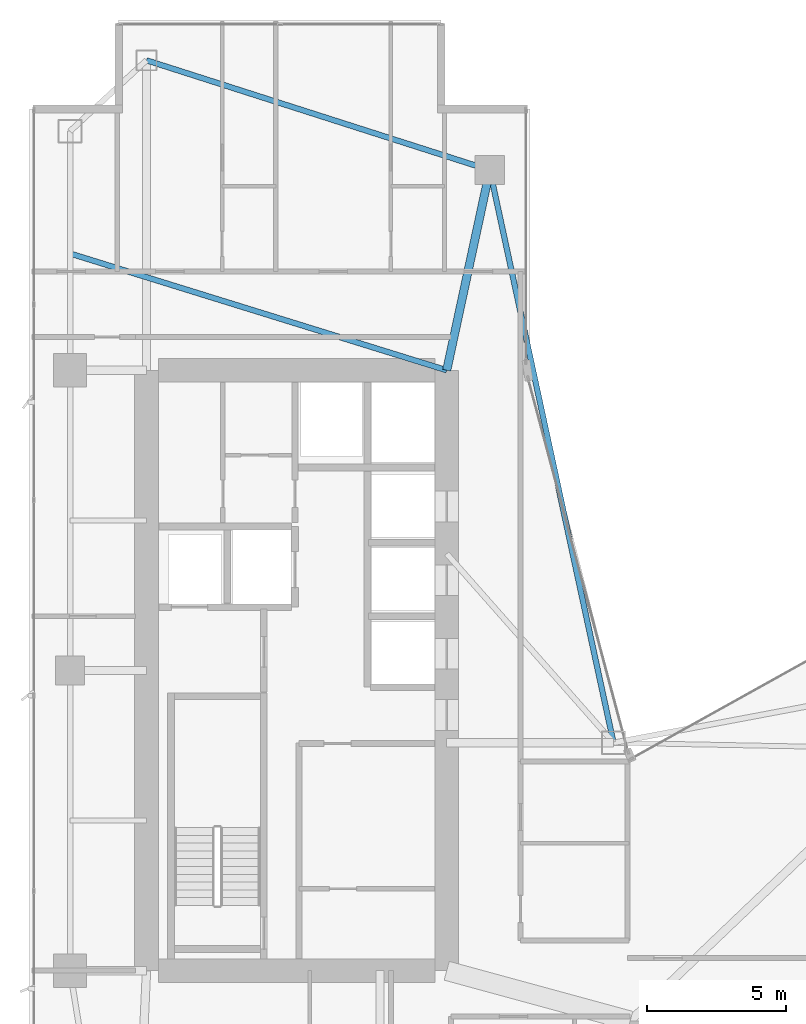
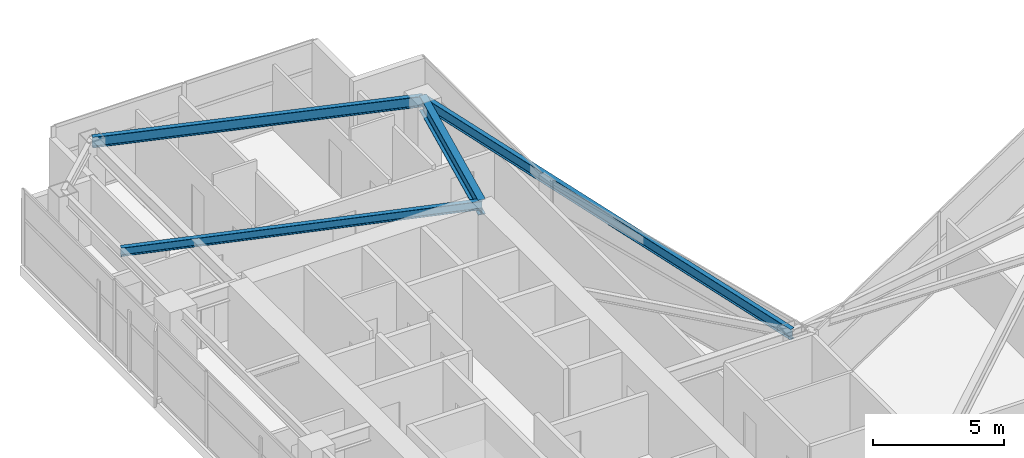
# One storey, part 17 of 28: 4 beams.
"""IFC4 building model written with IfcOpenShell, lengths in metres."""

from ifc_helpers import new_model, si_unit, direction, frame, origin, origin_2d, place, context, subcontext, project, spatial, i_section, extrude, material, material_profile, profile_set, type_object, element, save


model = new_model("IFC4")

# Units and contexts
model_context = context("Model", 3, precision=1e-05, world=origin(), true_north=direction((0.0, 1.0)))
body_context = subcontext(model_context, "Body", "Model", "MODEL_VIEW")
ifc_project = project(units=[si_unit("LENGTHUNIT", "METRE"), si_unit("AREAUNIT", "SQUARE_METRE"), si_unit("VOLUMEUNIT", "CUBIC_METRE"), si_unit("PLANEANGLEUNIT", "RADIAN"), si_unit("MASSUNIT", "GRAM", prefix="KILO")], contexts=[model_context])

# Site, building, storey
site_placement = place(None, origin())
site = spatial("IfcSite", under=ifc_project, at=site_placement, CompositionType="ELEMENT")
building_placement = place(site_placement, origin())
building = spatial("IfcBuilding", under=site, at=building_placement, Name="Calvorn Quay Hotel", CompositionType="ELEMENT")
storey_placement = place(building_placement, frame((0.0, 0.0, 97.39990234375)))
storey = spatial("IfcBuildingStorey", under=building, at=storey_placement, Name="L23", CompositionType="ELEMENT", Elevation=97.39990234375)

# Beams
ifc_material_1 = material(Name="Steel Q390GJC", Category="steel")
ifc_material_profile_1 = material_profile(ifc_material_1, i_section(OverallWidth=0.300048828125, OverallDepth=0.699951171875, WebThickness=0.012939453125, FlangeThickness=0.02392578125, FilletRadius=0.02392578125, at=origin_2d()), Name="HN700x300x13x24")
ifc_profile_set_1 = profile_set([ifc_material_profile_1], Name="Steel Q390GJC")
beam_type_1 = type_object("IfcBeamType", Name="BM-GIRD-MAIN", PredefinedType="BEAM", material=ifc_profile_set_1)
beam_1_placement = place(storey_placement, frame((16.550048828125, 45.60009765625, 3.190185546875), z_axis=(-0.210457140491, -0.97760308511, 0.0), x_axis=(0.97760308511, -0.210457140491, 0.0)))
element("IfcBeam", 1, at=beam_1_placement, inside=storey, type_object=beam_type_1, Name="Beam BG-L23-W6", PredefinedType="BEAM", context=body_context, shape_type="SweptSolid", body=[
    extrude(i_section(OverallWidth=0.300048828125, OverallDepth=0.699951171875, WebThickness=0.012939453125, FlangeThickness=0.02392578125, FilletRadius=0.02392578125, at=origin_2d()), origin(), (0.0, 0.0, 1.0), 7.365234375),
])
ifc_material_2 = material(Name="Steel Q355B", Category="steel")
ifc_material_profile_2 = material_profile(ifc_material_2, i_section(OverallWidth=0.199951171875, OverallDepth=0.39990234375, WebThickness=0.008056640625, FlangeThickness=0.012939453125, FilletRadius=0.01611328125, at=origin_2d()), Name="HN400x200x8x13")
ifc_profile_set_2 = profile_set([ifc_material_profile_2], Name="Steel Q355B")
beam_type_2 = type_object("IfcBeamType", Name="BM-JOIST-TYP", PredefinedType="JOIST", material=ifc_profile_set_2)
beam_2_placement = place(storey_placement, frame((1.449951171875, 42.60009765625, 3.340087890625), z_axis=(0.955163702122, -0.296078202759, 0.0), x_axis=(0.296078202759, 0.955163702122, 0.0)))
element("IfcBeam", 2, at=beam_2_placement, inside=storey, type_object=beam_type_2, Name="Beam BJ-L23-W2", PredefinedType="JOIST", context=body_context, shape_type="SweptSolid", body=[
    extrude(i_section(OverallWidth=0.199951171875, OverallDepth=0.39990234375, WebThickness=0.008056640625, FlangeThickness=0.012939453125, FilletRadius=0.01611328125, at=origin_2d()), origin(), (0.0, 0.0, 1.0), 14.18603515625),
])
ifc_material_3 = material(Name="Steel Q355B", Category="steel")
ifc_material_profile_3 = material_profile(ifc_material_3, i_section(OverallWidth=0.199951171875, OverallDepth=0.5, WebThickness=0.010009765625, FlangeThickness=0.01611328125, FilletRadius=0.01611328125, at=origin_2d()), Name="HN500x200x10x16")
ifc_profile_set_3 = profile_set([ifc_material_profile_3], Name="Steel Q355B")
beam_type_3 = type_object("IfcBeamType", Name="BM-SPANDREL-Z1", PredefinedType="SPANDREL", material=ifc_profile_set_3)
beam_3_placement = place(storey_placement, frame((4.199951171875, 49.550048828125, 3.2900390625), z_axis=(0.952470702374, -0.304630203885, 0.0), x_axis=(0.304630203885, 0.952470702374, 0.0)))
element("IfcBeam", 3, at=beam_3_placement, inside=storey, type_object=beam_type_3, Name="Beam BSP-L23-W6", PredefinedType="SPANDREL", context=body_context, shape_type="SweptSolid", body=[
    extrude(i_section(OverallWidth=0.199951171875, OverallDepth=0.5, WebThickness=0.010009765625, FlangeThickness=0.01611328125, FilletRadius=0.01611328125, at=origin_2d()), origin(), (0.0, 0.0, 1.0), 12.96630859375),
])
beam_4_placement = place(storey_placement, frame((16.550048828125, 45.60009765625, 3.2900390625), z_axis=(0.211145848376, -0.977454567084, 0.0), x_axis=(0.977454567084, 0.211145848376, 0.0)))
element("IfcBeam", 4, at=beam_4_placement, inside=storey, type_object=beam_type_3, Name="Beam BSP-L23-W7", PredefinedType="SPANDREL", context=body_context, shape_type="SweptSolid", body=[
    extrude(i_section(OverallWidth=0.199951171875, OverallDepth=0.5, WebThickness=0.010009765625, FlangeThickness=0.01611328125, FilletRadius=0.01611328125, at=origin_2d()), origin(), (0.0, 0.0, 1.0), 21.0751953125),
])

save(model, "model.ifc")
